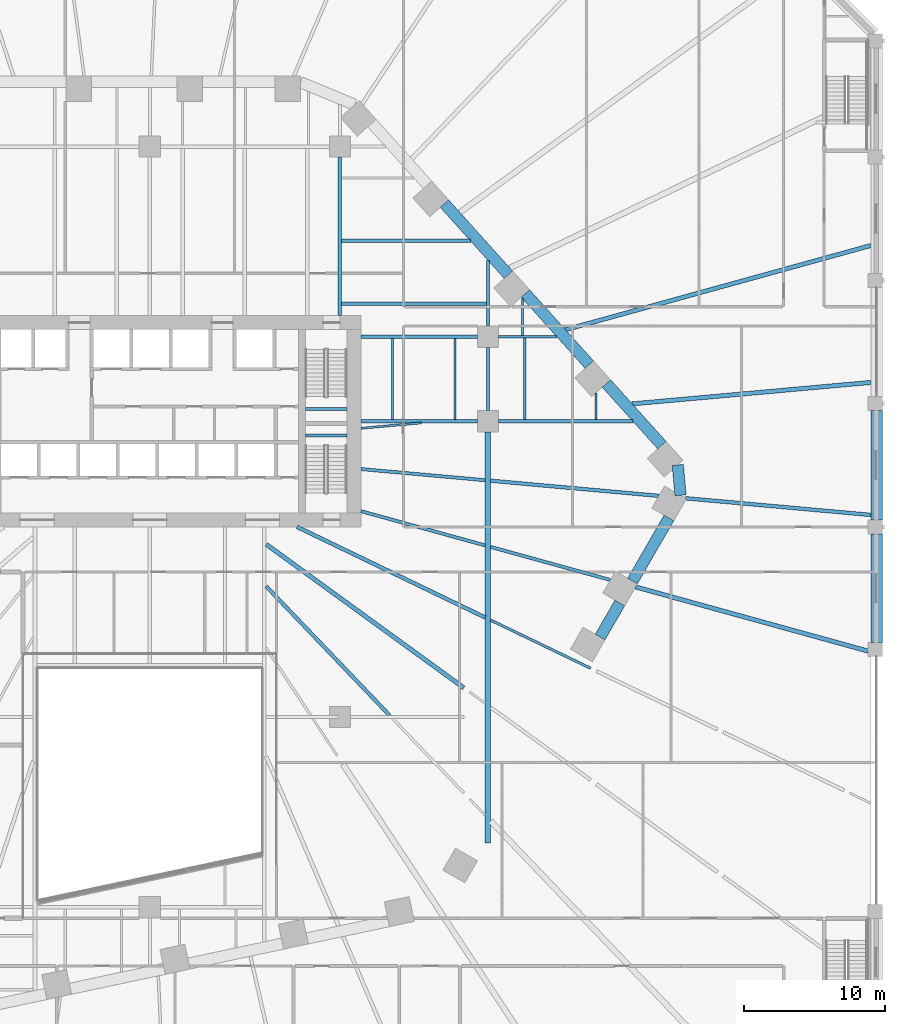
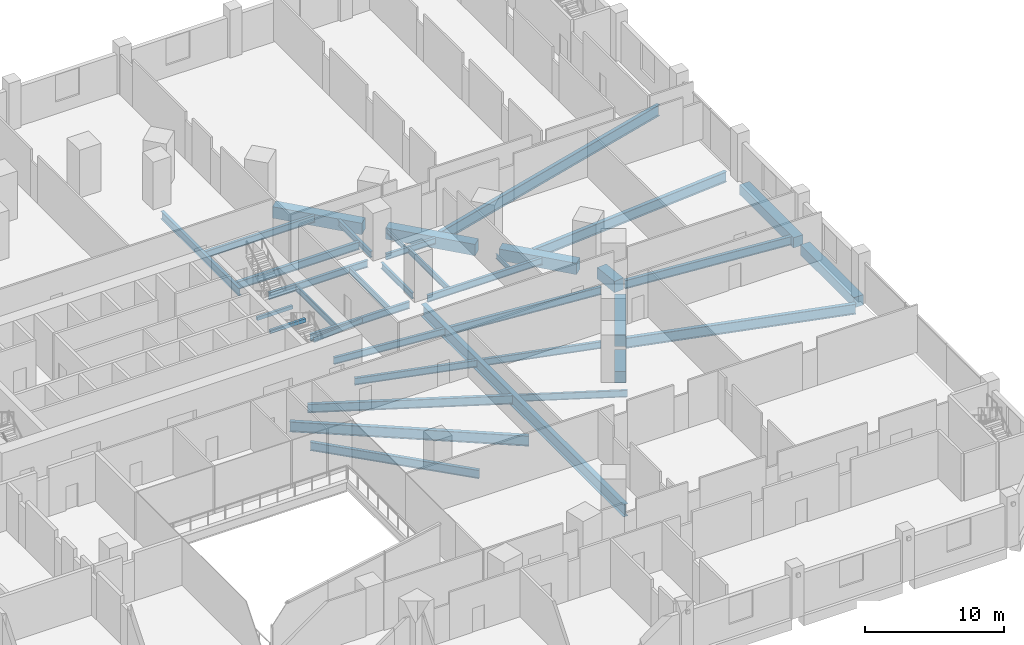
# One storey, part 8 of 33: 38 beams.
"""IFC4 building model written with IfcOpenShell, lengths in metres."""

from ifc_helpers import new_model, si_unit, direction, frame, origin, origin_2d, place, context, subcontext, project, spatial, rectangle, i_section, extrude, material, material_profile, profile_set, type_object, element, save


model = new_model("IFC4")

# Units and contexts
model_context = context("Model", 3, precision=1e-05, world=origin(), true_north=direction((0.0, 1.0)))
body_context = subcontext(model_context, "Body", "Model", "MODEL_VIEW")
ifc_project = project(units=[si_unit("LENGTHUNIT", "METRE"), si_unit("AREAUNIT", "SQUARE_METRE"), si_unit("VOLUMEUNIT", "CUBIC_METRE"), si_unit("PLANEANGLEUNIT", "RADIAN"), si_unit("MASSUNIT", "GRAM", prefix="KILO")], contexts=[model_context])

# Site, building, storey
site_placement = place(None, origin())
site = spatial("IfcSite", under=ifc_project, at=site_placement, CompositionType="ELEMENT")
building_placement = place(site_placement, origin())
building = spatial("IfcBuilding", under=site, at=building_placement, Name="Isthmus Gate Tower", CompositionType="ELEMENT")
storey_placement = place(building_placement, frame((0.0, 0.0, 22.5)))
storey = spatial("IfcBuildingStorey", under=building, at=storey_placement, Name="L03", CompositionType="ELEMENT", Elevation=22.5)

# Beams
ifc_material_1 = material(Name="Concrete f'c 70 MPa", Category="concrete")
ifc_material_profile_1 = material_profile(ifc_material_1, rectangle(XDim=0.800048828125, YDim=0.89990234375, at=origin_2d()), Name="RC 800X900")
ifc_profile_set_1 = profile_set([ifc_material_profile_1], Name="Concrete f'c 70 MPa")
beam_type_1 = type_object("IfcBeamType", Name="RC EDGE BEAM 800 X 900", PredefinedType="BEAM", material=ifc_profile_set_1)
beam_1_placement = place(storey_placement, frame((51.60009765625, 8.25, -0.75), z_axis=(0.0, -1.0, 0.0), x_axis=(1.0, 0.0, 0.0)))
element("IfcBeam", 1, at=beam_1_placement, inside=storey, type_object=beam_type_1, Name="str-edgebeam-L03-23", PredefinedType="BEAM", context=body_context, shape_type="SweptSolid", body=[
    extrude(rectangle(XDim=0.800048828125, YDim=0.89990234375, at=origin_2d()), origin(), (0.0, 0.0, 1.0), 7.75),
])
beam_2_placement = place(storey_placement, frame((51.60009765625, -0.5, -0.75), z_axis=(0.0, -1.0, 0.0), x_axis=(1.0, 0.0, 0.0)))
element("IfcBeam", 2, at=beam_2_placement, inside=storey, type_object=beam_type_1, Name="str-edgebeam-L03-24", PredefinedType="BEAM", context=body_context, shape_type="SweptSolid", body=[
    extrude(rectangle(XDim=0.800048828125, YDim=0.89990234375, at=origin_2d()), origin(), (0.0, 0.0, 1.0), 7.699951171875),
])
ifc_material_2 = material(Name="Concrete f'c 70 MPa", Category="concrete")
ifc_material_profile_2 = material_profile(ifc_material_2, rectangle(XDim=0.800048828125, YDim=1.0, at=origin_2d()), Name="RC 800X1000")
ifc_profile_set_2 = profile_set([ifc_material_profile_2], Name="Concrete f'c 70 MPa")
beam_type_2 = type_object("IfcBeamType", Name="RC TUBE RING BEAM 800 X 1000", PredefinedType="BEAM", material=ifc_profile_set_2)
beam_3_placement = place(storey_placement, frame((20.91748046875, 22.94921875, -0.800048828125), z_axis=(0.669135571547, -0.743140354772, 0.0), x_axis=(0.743140354772, 0.669135571547, 0.0)))
element("IfcBeam", 3, at=beam_3_placement, inside=storey, type_object=beam_type_2, Name="str-ringbeam-L03-02", PredefinedType="BEAM", context=body_context, shape_type="SweptSolid", body=[
    extrude(rectangle(XDim=0.800048828125, YDim=1.0, at=origin_2d()), origin(), (0.0, 0.0, 1.0), 6.789306640625),
])
beam_4_placement = place(storey_placement, frame((26.664794921875, 16.566162109375, -0.800048828125), z_axis=(0.669117690519, -0.743156454748, 0.0), x_axis=(0.743156454748, 0.669117690519, 0.0)))
element("IfcBeam", 4, at=beam_4_placement, inside=storey, type_object=beam_type_2, Name="str-ringbeam-L03-03", PredefinedType="BEAM", context=body_context, shape_type="SweptSolid", body=[
    extrude(rectangle(XDim=0.800048828125, YDim=1.0, at=origin_2d()), origin(), (0.0, 0.0, 1.0), 6.78955078125),
])
beam_5_placement = place(storey_placement, frame((32.412353515625, 10.182861328125, -0.800048828125), z_axis=(0.669138782017, -0.743137464001, 0.0), x_axis=(0.743137464001, 0.669138782017, 0.0)))
element("IfcBeam", 5, at=beam_5_placement, inside=storey, type_object=beam_type_2, Name="str-ringbeam-L03-04", PredefinedType="BEAM", context=body_context, shape_type="SweptSolid", body=[
    extrude(rectangle(XDim=0.800048828125, YDim=1.0, at=origin_2d()), origin(), (0.0, 0.0, 1.0), 5.88916015625),
])
beam_6_placement = place(storey_placement, frame((37.483154296875, 4.40185546875, -0.800048828125), z_axis=(0.089421511639, -0.995993872098, 0.0), x_axis=(0.995993872098, 0.089421511639, 0.0)))
element("IfcBeam", 6, at=beam_6_placement, inside=storey, type_object=beam_type_2, Name="str-ringbeam-L03-05", PredefinedType="BEAM", context=body_context, shape_type="SweptSolid", body=[
    extrude(rectangle(XDim=0.800048828125, YDim=1.0, at=origin_2d()), origin(), (0.0, 0.0, 1.0), 2.17333984375),
])
beam_7_placement = place(storey_placement, frame((36.8544921875, 0.6337890625, -0.800048828125), z_axis=(-0.50000453793, -0.866022783793, 0.0), x_axis=(0.866022783793, -0.50000453793, 0.0)))
element("IfcBeam", 7, at=beam_7_placement, inside=storey, type_object=beam_type_2, Name="str-ringbeam-L03-06", PredefinedType="BEAM", context=body_context, shape_type="SweptSolid", body=[
    extrude(rectangle(XDim=0.800048828125, YDim=1.0, at=origin_2d()), origin(), (0.0, 0.0, 1.0), 5.16943359375),
])
beam_8_placement = place(storey_placement, frame((33.369873046875, -5.40185546875, -0.800048828125), z_axis=(-0.500012514453, -0.866018178441, 0.0), x_axis=(0.866018178441, -0.500012514453, 0.0)))
element("IfcBeam", 8, at=beam_8_placement, inside=storey, type_object=beam_type_2, Name="str-ringbeam-L03-07", PredefinedType="BEAM", context=body_context, shape_type="SweptSolid", body=[
    extrude(rectangle(XDim=0.800048828125, YDim=1.0, at=origin_2d()), origin(), (0.0, 0.0, 1.0), 2.79296875),
])
ifc_material_3 = material(Name="Concrete f'c 40 MPa", Category="concrete")
ifc_material_profile_3 = material_profile(ifc_material_3, rectangle(XDim=0.199951171875, YDim=0.300048828125, at=origin_2d()), Name="STAIR LANDING BEAM RC 200 X 300")
ifc_profile_set_3 = profile_set([ifc_material_profile_3], Name="Concrete f'c 40 MPa")
beam_type_3 = type_object("IfcBeamType", Name="STAIR LANDING BEAM RC 200 X 300", PredefinedType="BEAM", material=ifc_profile_set_3)
for number, where, z_axis, x_axis, name in (
    (9, (11.050048828125, 8.3701171875, 1.89990234375), (1.0, 0.0, 0.0), (0.0, 1.0, 0.0), "L03 ST2 landing beam 1"),
    (10, (11.050048828125, 6.47998046875, 1.89990234375), (1.0, 0.0, 0.0), (0.0, 1.0, 0.0), "L03 ST8 landing beam 1"),
):
    element("IfcBeam", number, at=place(storey_placement, frame(where, z_axis=z_axis, x_axis=x_axis)), inside=storey, type_object=beam_type_3, Name=name, PredefinedType="BEAM", context=body_context, shape_type="SweptSolid", body=[
        extrude(rectangle(XDim=0.199951171875, YDim=0.300048828125, at=origin_2d()), origin(), (0.0, 0.0, 1.0), 2.949951171875),
    ])
ifc_material_4 = material(Name="Structural steel ASTM A992 Gr 50", Category="steel")
ifc_material_profile_4 = material_profile(ifc_material_4, i_section(OverallWidth=0.1396484375, OverallDepth=0.4033203125, WebThickness=0.00634765625, FlangeThickness=0.010986328125, at=origin_2d()), Name="W16X31")
ifc_profile_set_4 = profile_set([ifc_material_profile_4], Name="Structural steel ASTM A992 Gr 50")
beam_type_4 = type_object("IfcBeamType", Name="STEEL FLOOR BEAM W16X31", PredefinedType="JOIST", material=ifc_profile_set_4)
beam_9_placement = place(storey_placement, frame((26.448974609375, 13.604736328125, -0.501708984375), z_axis=(0.0, 1.0, 0.0), x_axis=(-1.0, 0.0, 0.0)))
element("IfcBeam", 11, at=beam_9_placement, inside=storey, type_object=beam_type_4, Name="str-beam-L03-25-00", PredefinedType="JOIST", context=body_context, shape_type="SweptSolid", body=[
    extrude(i_section(OverallWidth=0.1396484375, OverallDepth=0.4033203125, WebThickness=0.00634765625, FlangeThickness=0.010986328125, at=origin_2d()), origin(), (0.0, 0.0, 1.0), 2.603515625),
])
beam_10_placement = place(storey_placement, frame((31.666259765625, 7.6142578125, -0.501708984375), z_axis=(0.0, 1.0, 0.0), x_axis=(-1.0, 0.0, 0.0)))
element("IfcBeam", 12, at=beam_10_placement, inside=storey, type_object=beam_type_4, Name="str-beam-L03-26-01", PredefinedType="JOIST", context=body_context, shape_type="SweptSolid", body=[
    extrude(i_section(OverallWidth=0.1396484375, OverallDepth=0.4033203125, WebThickness=0.00634765625, FlangeThickness=0.010986328125, at=origin_2d()), origin(), (0.0, 0.0, 1.0), 1.89697265625),
])
ifc_material_5 = material(Name="Structural steel ASTM A992 Gr 50", Category="steel")
ifc_material_profile_5 = material_profile(ifc_material_5, i_section(OverallWidth=0.15234375, OverallDepth=0.45068359375, WebThickness=0.0078125, FlangeThickness=0.010986328125, at=origin_2d()), Name="W18X35")
ifc_profile_set_5 = profile_set([ifc_material_profile_5], Name="Structural steel ASTM A992 Gr 50")
beam_type_5 = type_object("IfcBeamType", Name="STEEL FLOOR BEAM W18X35", PredefinedType="JOIST", material=ifc_profile_set_5)
beam_11_placement = place(storey_placement, frame((15.0, 7.0, -0.525390625), z_axis=(0.995972361424, 0.089660778933, 0.0), x_axis=(-0.089660778933, 0.995972361424, 0.0)))
element("IfcBeam", 13, at=beam_11_placement, inside=storey, type_object=beam_type_5, Name="str-beam-L03-15-00", PredefinedType="JOIST", context=body_context, shape_type="SweptSolid", body=[
    extrude(i_section(OverallWidth=0.15234375, OverallDepth=0.45068359375, WebThickness=0.0078125, FlangeThickness=0.010986328125, at=origin_2d()), origin(), (0.0, 0.0, 1.0), 4.30224609375),
])
ifc_material_6 = material(Name="Structural steel ASTM A992 Gr 50", Category="steel")
ifc_material_profile_6 = material_profile(ifc_material_6, i_section(OverallWidth=0.1650390625, OverallDepth=0.52392578125, WebThickness=0.009521484375, FlangeThickness=0.010986328125, at=origin_2d()), Name="W21X44")
ifc_profile_set_6 = profile_set([ifc_material_profile_6], Name="Structural steel ASTM A992 Gr 50")
beam_type_6 = type_object("IfcBeamType", Name="STEEL FLOOR BEAM W21X44", PredefinedType="JOIST", material=ifc_profile_set_6)
for number, where, z_axis, x_axis, name in (
    (14, (17.223876953125, 7.6142578125, -0.56201171875), (0.0, 1.0, 0.0), (-1.0, 0.0, 0.0), "str-beam-L03-24-00"),
    (15, (21.67138671875, 7.6142578125, -0.56201171875), (0.0, 1.0, 0.0), (-1.0, 0.0, 0.0), "str-beam-L03-24-01"),
):
    element("IfcBeam", number, at=place(storey_placement, frame(where, z_axis=z_axis, x_axis=x_axis)), inside=storey, type_object=beam_type_6, Name=name, PredefinedType="JOIST", context=body_context, shape_type="SweptSolid", body=[
        extrude(i_section(OverallWidth=0.1650390625, OverallDepth=0.52392578125, WebThickness=0.009521484375, FlangeThickness=0.010986328125, at=origin_2d()), origin(), (0.0, 0.0, 1.0), 5.771484375),
    ])
beam_12_placement = place(storey_placement, frame((26.625244140625, 7.6142578125, -0.56201171875), z_axis=(0.0, 1.0, 0.0), x_axis=(-1.0, 0.0, 0.0)))
element("IfcBeam", 16, at=beam_12_placement, inside=storey, type_object=beam_type_6, Name="str-beam-L03-26-00", PredefinedType="JOIST", context=body_context, shape_type="SweptSolid", body=[
    extrude(i_section(OverallWidth=0.1650390625, OverallDepth=0.52392578125, WebThickness=0.009521484375, FlangeThickness=0.010986328125, at=origin_2d()), origin(), (0.0, 0.0, 1.0), 5.781005859375),
])
ifc_material_7 = material(Name="Structural steel ASTM A992 Gr 50", Category="steel")
ifc_material_profile_7 = material_profile(ifc_material_7, i_section(OverallWidth=0.177734375, OverallDepth=0.60009765625, WebThickness=0.009521484375, FlangeThickness=0.0126953125, at=origin_2d()), Name="W24X55")
ifc_profile_set_7 = profile_set([ifc_material_profile_7], Name="Structural steel ASTM A992 Gr 50")
beam_type_7 = type_object("IfcBeamType", Name="STEEL FLOOR BEAM W24X55", PredefinedType="JOIST", material=ifc_profile_set_7)
beam_13_placement = place(storey_placement, frame((24.199951171875, -6.6201171875, -0.60009765625), z_axis=(0.900972033602, -0.433877165412, 0.0), x_axis=(0.433877165412, 0.900972033602, 0.0)))
element("IfcBeam", 17, at=beam_13_placement, inside=storey, type_object=beam_type_7, Name="str-beam-L03-15-65", PredefinedType="JOIST", context=body_context, shape_type="SweptSolid", body=[
    extrude(i_section(OverallWidth=0.177734375, OverallDepth=0.60009765625, WebThickness=0.009521484375, FlangeThickness=0.0126953125, at=origin_2d()), origin(), (0.0, 0.0, 1.0), 7.87158203125),
])
ifc_material_8 = material(Name="Structural steel ASTM A992 Gr 50", Category="steel")
ifc_material_profile_8 = material_profile(ifc_material_8, i_section(OverallWidth=0.228515625, OverallDepth=0.603271484375, WebThickness=0.010986328125, FlangeThickness=0.014404296875, at=origin_2d()), Name="W24X68")
ifc_profile_set_8 = profile_set([ifc_material_profile_8], Name="Structural steel ASTM A992 Gr 50")
beam_type_8 = type_object("IfcBeamType", Name="STEEL FLOOR BEAM W24X68", PredefinedType="JOIST", material=ifc_profile_set_8)
beam_14_placement = place(storey_placement, frame((15.0, 1.115966796875, -0.6015625), z_axis=(0.963961406155, -0.266042115922, 0.0), x_axis=(0.266042115922, 0.963961406155, 0.0)))
element("IfcBeam", 18, at=beam_14_placement, inside=storey, type_object=beam_type_8, Name="str-beam-L03-15-69", PredefinedType="JOIST", context=body_context, shape_type="SweptSolid", body=[
    extrude(i_section(OverallWidth=0.228515625, OverallDepth=0.603271484375, WebThickness=0.010986328125, FlangeThickness=0.014404296875, at=origin_2d()), origin(), (0.0, 0.0, 1.0), 9.129150390625),
])
beam_15_placement = place(storey_placement, frame((24.199951171875, -1.423095703125, -0.6015625), z_axis=(0.963961026006, -0.266043493328, 0.0), x_axis=(0.266043493328, 0.963961026006, 0.0)))
element("IfcBeam", 19, at=beam_15_placement, inside=storey, type_object=beam_type_8, Name="str-beam-L03-15-70", PredefinedType="JOIST", context=body_context, shape_type="SweptSolid", body=[
    extrude(i_section(OverallWidth=0.228515625, OverallDepth=0.603271484375, WebThickness=0.010986328125, FlangeThickness=0.014404296875, at=origin_2d()), origin(), (0.0, 0.0, 1.0), 8.814208984375),
])
beam_16_placement = place(storey_placement, frame((15.0, 4.10595703125, -0.6015625), z_axis=(0.995974562185, -0.089636329026, 0.0), x_axis=(0.089636329026, 0.995974562185, 0.0)))
element("IfcBeam", 20, at=beam_16_placement, inside=storey, type_object=beam_type_8, Name="str-beam-L03-15-72", PredefinedType="JOIST", context=body_context, shape_type="SweptSolid", body=[
    extrude(i_section(OverallWidth=0.228515625, OverallDepth=0.603271484375, WebThickness=0.010986328125, FlangeThickness=0.014404296875, at=origin_2d()), origin(), (0.0, 0.0, 1.0), 8.835693359375),
])
beam_17_placement = place(storey_placement, frame((13.626953125, 20.30712890625, -0.6015625), z_axis=(1.0, 0.0, 0.0), x_axis=(0.0, 1.0, 0.0)))
element("IfcBeam", 21, at=beam_17_placement, inside=storey, type_object=beam_type_8, Name="str-beam-L03-23-01", PredefinedType="JOIST", context=body_context, shape_type="SweptSolid", body=[
    extrude(i_section(OverallWidth=0.228515625, OverallDepth=0.603271484375, WebThickness=0.010986328125, FlangeThickness=0.014404296875, at=origin_2d()), origin(), (0.0, 0.0, 1.0), 9.131103515625),
])
ifc_material_9 = material(Name="Structural steel ASTM A992 Gr 50", Category="steel")
ifc_material_profile_9 = material_profile(ifc_material_9, i_section(OverallWidth=0.25390625, OverallDepth=0.679443359375, WebThickness=0.010986328125, FlangeThickness=0.015869140625, at=origin_2d()), Name="W27X84")
ifc_profile_set_9 = profile_set([ifc_material_profile_9], Name="Structural steel ASTM A992 Gr 50")
beam_type_9 = type_object("IfcBeamType", Name="STEEL FLOOR BEAM W27X84", PredefinedType="JOIST", material=ifc_profile_set_9)
beam_18_placement = place(storey_placement, frame((24.199951171875, 3.278076171875, -0.6396484375), z_axis=(0.995974402492, -0.089638103393, 0.0), x_axis=(0.089638103393, 0.995974402492, 0.0)))
element("IfcBeam", 22, at=beam_18_placement, inside=storey, type_object=beam_type_9, Name="str-beam-L03-15-73", PredefinedType="JOIST", context=body_context, shape_type="SweptSolid", body=[
    extrude(i_section(OverallWidth=0.25390625, OverallDepth=0.679443359375, WebThickness=0.010986328125, FlangeThickness=0.015869140625, at=origin_2d()), origin(), (0.0, 0.0, 1.0), 11.9921875),
])
beam_19_placement = place(storey_placement, frame((13.626953125, 15.84521484375, -0.6396484375), z_axis=(1.0, 0.0, 0.0), x_axis=(0.0, 1.0, 0.0)))
element("IfcBeam", 23, at=beam_19_placement, inside=storey, type_object=beam_type_9, Name="str-beam-L03-23-00", PredefinedType="JOIST", context=body_context, shape_type="SweptSolid", body=[
    extrude(i_section(OverallWidth=0.25390625, OverallDepth=0.679443359375, WebThickness=0.010986328125, FlangeThickness=0.015869140625, at=origin_2d()), origin(), (0.0, 0.0, 1.0), 10.268310546875),
])
ifc_material_10 = material(Name="Structural steel ASTM A992 Gr 50", Category="steel")
ifc_material_profile_10 = material_profile(ifc_material_10, i_section(OverallWidth=0.2666015625, OverallDepth=0.7587890625, WebThickness=0.014404296875, FlangeThickness=0.01904296875, at=origin_2d()), Name="W30X108")
ifc_profile_set_10 = profile_set([ifc_material_profile_10], Name="Structural steel ASTM A992 Gr 50")
beam_type_10 = type_object("IfcBeamType", Name="STEEL FLOOR BEAM W30X108", PredefinedType="JOIST", material=ifc_profile_set_10)
beam_20_placement = place(storey_placement, frame((10.453369140625, 0.0, -0.679443359375), z_axis=(0.9009670721, -0.43388746812, 0.0), x_axis=(0.43388746812, 0.9009670721, 0.0)))
element("IfcBeam", 24, at=beam_20_placement, inside=storey, type_object=beam_type_10, Name="str-beam-L03-15-64", PredefinedType="JOIST", context=body_context, shape_type="SweptSolid", body=[
    extrude(i_section(OverallWidth=0.2666015625, OverallDepth=0.7587890625, WebThickness=0.014404296875, FlangeThickness=0.01904296875, at=origin_2d()), origin(), (0.0, 0.0, 1.0), 14.813720703125),
])
ifc_material_11 = material(Name="Structural steel ASTM A992 Gr 50", Category="steel")
ifc_material_profile_11 = material_profile(ifc_material_11, i_section(OverallWidth=0.263427734375, OverallDepth=0.749267578125, WebThickness=0.0126953125, FlangeThickness=0.015869140625, at=origin_2d()), Name="W30X90")
ifc_profile_set_11 = profile_set([ifc_material_profile_11], Name="Structural steel ASTM A992 Gr 50")
beam_type_11 = type_object("IfcBeamType", Name="STEEL FLOOR BEAM W30X90", PredefinedType="JOIST", material=ifc_profile_set_11)
beam_21_placement = place(storey_placement, frame((8.263427734375, -4.217041015625, -0.674560546875), z_axis=(0.691060069821, -0.722797329754, 0.0), x_axis=(0.722797329754, 0.691060069821, 0.0)))
element("IfcBeam", 25, at=beam_21_placement, inside=storey, type_object=beam_type_11, Name="str-beam-L03-15-55", PredefinedType="JOIST", context=body_context, shape_type="SweptSolid", body=[
    extrude(i_section(OverallWidth=0.263427734375, OverallDepth=0.749267578125, WebThickness=0.0126953125, FlangeThickness=0.015869140625, at=origin_2d()), origin(), (0.0, 0.0, 1.0), 12.68505859375),
])
beam_22_placement = place(storey_placement, frame((38.03076171875, 2.033203125, -0.674560546875), z_axis=(0.995973927817, -0.089643377385, 0.0), x_axis=(0.089643377385, 0.995973927817, 0.0)))
element("IfcBeam", 26, at=beam_22_placement, inside=storey, type_object=beam_type_11, Name="str-beam-L03-15-74", PredefinedType="JOIST", context=body_context, shape_type="SweptSolid", body=[
    extrude(i_section(OverallWidth=0.263427734375, OverallDepth=0.749267578125, WebThickness=0.0126953125, FlangeThickness=0.015869140625, at=origin_2d()), origin(), (0.0, 0.0, 1.0), 13.222412109375),
])
ifc_material_12 = material(Name="Structural steel ASTM A992 Gr 50", Category="steel")
ifc_material_profile_12 = material_profile(ifc_material_12, i_section(OverallWidth=0.3046875, OverallDepth=0.901611328125, WebThickness=0.015869140625, FlangeThickness=0.0205078125, at=origin_2d()), Name="W36X135")
ifc_profile_set_12 = profile_set([ifc_material_profile_12], Name="Structural steel ASTM A992 Gr 50")
beam_type_12 = type_object("IfcBeamType", Name="STEEL FLOOR BEAM W36X135", PredefinedType="JOIST", material=ifc_profile_set_12)
beam_23_placement = place(storey_placement, frame((34.255859375, 8.733154296875, -0.750732421875), z_axis=(0.995974784753, 0.089633855965, 0.0), x_axis=(-0.089633855965, 0.995974784753, 0.0)))
element("IfcBeam", 27, at=beam_23_placement, inside=storey, type_object=beam_type_12, Name="str-beam-L03-15-01", PredefinedType="JOIST", context=body_context, shape_type="SweptSolid", body=[
    extrude(i_section(OverallWidth=0.3046875, OverallDepth=0.901611328125, WebThickness=0.015869140625, FlangeThickness=0.0205078125, at=origin_2d()), origin(), (0.0, 0.0, 1.0), 17.012451171875),
])
beam_24_placement = place(storey_placement, frame((8.263427734375, -1.233642578125, -0.750732421875), z_axis=(0.809016058403, -0.587786540545, 0.0), x_axis=(0.587786540545, 0.809016058403, 0.0)))
element("IfcBeam", 28, at=beam_24_placement, inside=storey, type_object=beam_type_12, Name="str-beam-L03-15-59", PredefinedType="JOIST", context=body_context, shape_type="SweptSolid", body=[
    extrude(i_section(OverallWidth=0.3046875, OverallDepth=0.901611328125, WebThickness=0.015869140625, FlangeThickness=0.0205078125, at=origin_2d()), origin(), (0.0, 0.0, 1.0), 17.34033203125),
])
beam_25_placement = place(storey_placement, frame((34.4892578125, -4.262939453125, -0.750732421875), z_axis=(0.963963380055, -0.266034963704, 0.0), x_axis=(0.266034963704, 0.963963380055, 0.0)))
element("IfcBeam", 29, at=beam_25_placement, inside=storey, type_object=beam_type_12, Name="str-beam-L03-15-71", PredefinedType="JOIST", context=body_context, shape_type="SweptSolid", body=[
    extrude(i_section(OverallWidth=0.3046875, OverallDepth=0.901611328125, WebThickness=0.015869140625, FlangeThickness=0.0205078125, at=origin_2d()), origin(), (0.0, 0.0, 1.0), 17.1279296875),
])
ifc_material_13 = material(Name="Structural steel ASTM A992 Gr 50", Category="steel")
ifc_material_profile_13 = material_profile(ifc_material_13, i_section(OverallWidth=0.29833984375, OverallDepth=0.981201171875, WebThickness=0.015869140625, FlangeThickness=0.025390625, at=origin_2d()), Name="W40X167")
ifc_profile_set_13 = profile_set([ifc_material_profile_13], Name="Structural steel ASTM A992 Gr 50")
beam_type_13 = type_object("IfcBeamType", Name="STEEL FLOOR BEAM W40X167", PredefinedType="JOIST", material=ifc_profile_set_13)
beam_26_placement = place(storey_placement, frame((29.5166015625, 13.99658203125, -0.79052734375), z_axis=(0.96396392547, 0.266032987414, 0.0), x_axis=(-0.266032987414, 0.96396392547, 0.0)))
element("IfcBeam", 30, at=beam_26_placement, inside=storey, type_object=beam_type_13, Name="str-beam-L03-15-02", PredefinedType="JOIST", context=body_context, shape_type="SweptSolid", body=[
    extrude(i_section(OverallWidth=0.29833984375, OverallDepth=0.981201171875, WebThickness=0.015869140625, FlangeThickness=0.025390625, at=origin_2d()), origin(), (0.0, 0.0, 1.0), 22.493896484375),
])
ifc_material_14 = material(Name="Structural steel ASTM A992 Gr 50", Category="steel")
ifc_material_profile_14 = material_profile(ifc_material_14, i_section(OverallWidth=0.20947265625, OverallDepth=0.533447265625, WebThickness=0.009521484375, FlangeThickness=0.015869140625, at=origin_2d()), Name="W21X62")
ifc_profile_set_14 = profile_set([ifc_material_profile_14], Name="Structural steel ASTM A992 Gr 50")
beam_type_14 = type_object("IfcBeamType", Name="STEEL GIRDER W21X62", PredefinedType="BEAM", material=ifc_profile_set_14)
beam_27_placement = place(storey_placement, frame((24.75, 13.5, -0.566650390625), z_axis=(1.0, 0.0, 0.0), x_axis=(0.0, 1.0, 0.0)))
element("IfcBeam", 31, at=beam_27_placement, inside=storey, type_object=beam_type_14, Name="str-girder-L03-15", PredefinedType="BEAM", context=body_context, shape_type="SweptSolid", body=[
    extrude(i_section(OverallWidth=0.20947265625, OverallDepth=0.533447265625, WebThickness=0.009521484375, FlangeThickness=0.015869140625, at=origin_2d()), origin(), (0.0, 0.0, 1.0), 4.13720703125),
])
beam_28_placement = place(storey_placement, frame((24.0, 8.25, -0.566650390625), z_axis=(0.0, 1.0, 0.0), x_axis=(-1.0, 0.0, 0.0)))
element("IfcBeam", 32, at=beam_28_placement, inside=storey, type_object=beam_type_14, Name="str-girder-L03-32", PredefinedType="BEAM", context=body_context, shape_type="SweptSolid", body=[
    extrude(i_section(OverallWidth=0.20947265625, OverallDepth=0.533447265625, WebThickness=0.009521484375, FlangeThickness=0.015869140625, at=origin_2d()), origin(), (0.0, 0.0, 1.0), 4.5),
])
beam_29_placement = place(storey_placement, frame((24.0, 14.25, -0.566650390625), z_axis=(0.0, 1.0, 0.0), x_axis=(-1.0, 0.0, 0.0)))
element("IfcBeam", 33, at=beam_29_placement, inside=storey, type_object=beam_type_14, Name="str-girder-L03-33", PredefinedType="BEAM", context=body_context, shape_type="SweptSolid", body=[
    extrude(i_section(OverallWidth=0.20947265625, OverallDepth=0.533447265625, WebThickness=0.009521484375, FlangeThickness=0.015869140625, at=origin_2d()), origin(), (0.0, 0.0, 1.0), 4.677978515625),
])
ifc_material_15 = material(Name="Structural steel ASTM A992 Gr 50", Category="steel")
ifc_material_profile_15 = material_profile(ifc_material_15, i_section(OverallWidth=0.228515625, OverallDepth=0.6064453125, WebThickness=0.010986328125, FlangeThickness=0.017578125, at=origin_2d()), Name="W24X76")
ifc_profile_set_15 = profile_set([ifc_material_profile_15], Name="Structural steel ASTM A992 Gr 50")
beam_type_15 = type_object("IfcBeamType", Name="STEEL GIRDER W24X76", PredefinedType="BEAM", material=ifc_profile_set_15)
beam_30_placement = place(storey_placement, frame((15.0, 7.5, -0.603271484375), z_axis=(1.0, 0.0, 0.0), x_axis=(0.0, 1.0, 0.0)))
element("IfcBeam", 34, at=beam_30_placement, inside=storey, type_object=beam_type_15, Name="str-girder-L03-11", PredefinedType="BEAM", context=body_context, shape_type="SweptSolid", body=[
    extrude(i_section(OverallWidth=0.228515625, OverallDepth=0.6064453125, WebThickness=0.010986328125, FlangeThickness=0.017578125, at=origin_2d()), origin(), (0.0, 0.0, 1.0), 8.25),
])
beam_31_placement = place(storey_placement, frame((24.75, 7.5, -0.603271484375), z_axis=(1.0, 0.0, 0.0), x_axis=(0.0, 1.0, 0.0)))
element("IfcBeam", 35, at=beam_31_placement, inside=storey, type_object=beam_type_15, Name="str-girder-L03-12", PredefinedType="BEAM", context=body_context, shape_type="SweptSolid", body=[
    extrude(i_section(OverallWidth=0.228515625, OverallDepth=0.6064453125, WebThickness=0.010986328125, FlangeThickness=0.017578125, at=origin_2d()), origin(), (0.0, 0.0, 1.0), 9.539794921875),
])
beam_32_placement = place(storey_placement, frame((15.0, 13.5, -0.603271484375), z_axis=(1.0, 0.0, 0.0), x_axis=(0.0, 1.0, 0.0)))
element("IfcBeam", 36, at=beam_32_placement, inside=storey, type_object=beam_type_15, Name="str-girder-L03-14", PredefinedType="BEAM", context=body_context, shape_type="SweptSolid", body=[
    extrude(i_section(OverallWidth=0.228515625, OverallDepth=0.6064453125, WebThickness=0.010986328125, FlangeThickness=0.017578125, at=origin_2d()), origin(), (0.0, 0.0, 1.0), 8.25),
])
ifc_material_16 = material(Name="Structural steel ASTM A992 Gr 50", Category="steel")
ifc_material_profile_16 = material_profile(ifc_material_16, i_section(OverallWidth=0.25390625, OverallDepth=0.679443359375, WebThickness=0.010986328125, FlangeThickness=0.015869140625, at=origin_2d()), Name="W27X84")
ifc_profile_set_16 = profile_set([ifc_material_profile_16], Name="Structural steel ASTM A992 Gr 50")
beam_type_16 = type_object("IfcBeamType", Name="STEEL GIRDER W27X84", PredefinedType="BEAM", material=ifc_profile_set_16)
beam_33_placement = place(storey_placement, frame((13.5, 15.0, -0.6396484375), z_axis=(0.0, 1.0, 0.0), x_axis=(-1.0, 0.0, 0.0)))
element("IfcBeam", 37, at=beam_33_placement, inside=storey, type_object=beam_type_16, Name="str-girder-L03-29", PredefinedType="BEAM", context=body_context, shape_type="SweptSolid", body=[
    extrude(i_section(OverallWidth=0.25390625, OverallDepth=0.679443359375, WebThickness=0.010986328125, FlangeThickness=0.015869140625, at=origin_2d()), origin(), (0.0, 0.0, 1.0), 11.25),
])
ifc_material_17 = material(Name="Structural steel ASTM A992 Gr 50", Category="steel")
ifc_material_profile_17 = material_profile(ifc_material_17, i_section(OverallWidth=0.39990234375, OverallDepth=1.089111328125, WebThickness=0.017578125, FlangeThickness=0.03173828125, at=origin_2d()), Name="W44X230")
ifc_profile_set_17 = profile_set([ifc_material_profile_17], Name="Structural steel ASTM A992 Gr 50")
beam_type_17 = type_object("IfcBeamType", Name="STEEL GIRDER W44X230", PredefinedType="BEAM", material=ifc_profile_set_17)
beam_34_placement = place(storey_placement, frame((24.0, -22.4306640625, -0.844482421875), z_axis=(0.0, 1.0, 0.0), x_axis=(-1.0, 0.0, 0.0)))
element("IfcBeam", 38, at=beam_34_placement, inside=storey, type_object=beam_type_17, Name="str-girder-L03-31", PredefinedType="BEAM", context=body_context, shape_type="SweptSolid", body=[
    extrude(i_section(OverallWidth=0.39990234375, OverallDepth=1.089111328125, WebThickness=0.017578125, FlangeThickness=0.03173828125, at=origin_2d()), origin(), (0.0, 0.0, 1.0), 29.1806640625),
])

save(model, "model.ifc")
